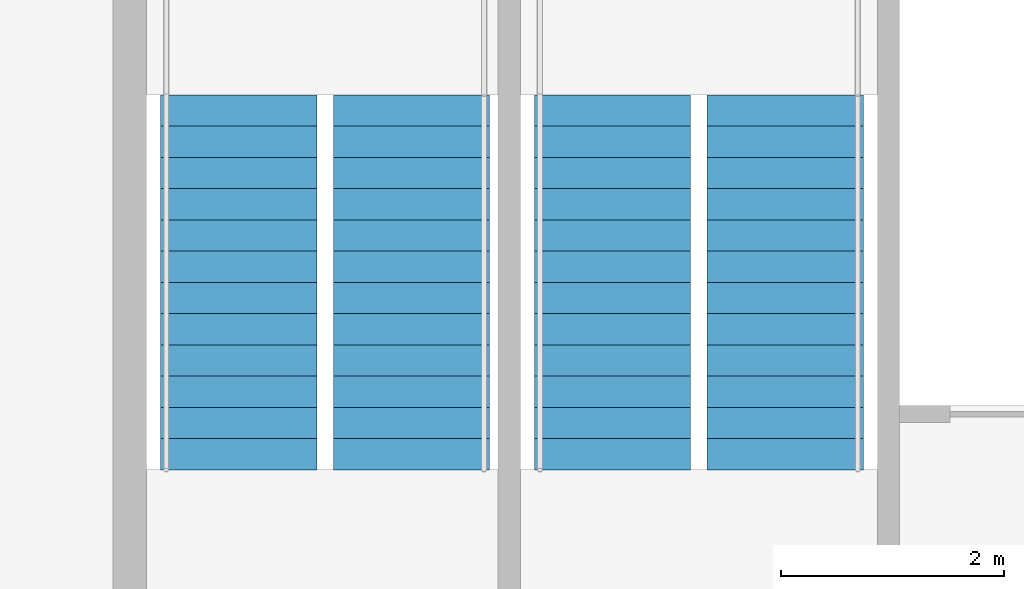
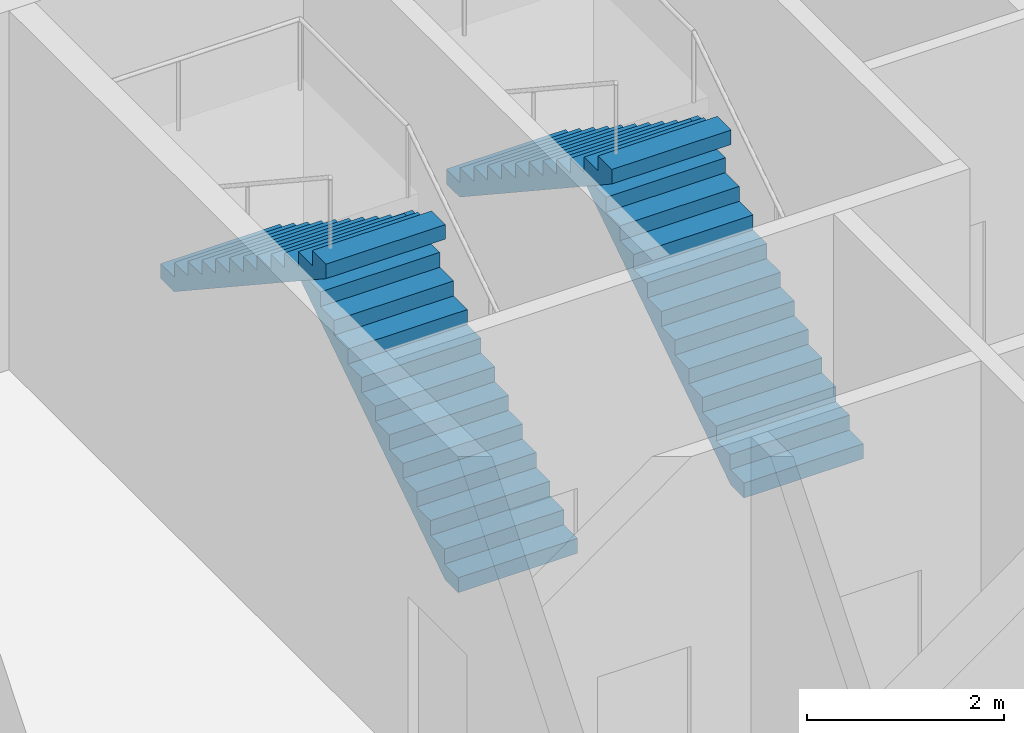
# One storey, part 9 of 10: 4 stair flights, 2 elements without a shape of their own.
"""IFC4 building model written with IfcOpenShell, lengths in metres."""

from ifc_helpers import new_model, si_unit, direction, frame, origin, place, context, subcontext, project, spatial, polyline, outline, extrude, material, type_object, element, aggregate, save


model = new_model("IFC4")

# Units and contexts
model_context = context("Model", 3, precision=1e-05, world=origin(), true_north=direction((0.0, 1.0)))
body_context = subcontext(model_context, "Body", "Model", "MODEL_VIEW")
ifc_project = project(units=[si_unit("LENGTHUNIT", "METRE"), si_unit("AREAUNIT", "SQUARE_METRE"), si_unit("VOLUMEUNIT", "CUBIC_METRE"), si_unit("PLANEANGLEUNIT", "RADIAN"), si_unit("MASSUNIT", "GRAM", prefix="KILO")], contexts=[model_context])

# Site, building, storey
site_placement = place(None, origin())
site = spatial("IfcSite", under=ifc_project, at=site_placement, CompositionType="ELEMENT")
building_placement = place(site_placement, origin())
building = spatial("IfcBuilding", under=site, at=building_placement, Name="Meshkara Civic Tower", CompositionType="ELEMENT")
storey_placement = place(building_placement, frame((0.0, 0.0, 424.199951171875)))
storey = spatial("IfcBuildingStorey", under=building, at=storey_placement, Name="L97 Crown", CompositionType="ELEMENT", Elevation=424.199951171875)

# Stair, stair flights
ifc_material_1 = material(Name="Precast concrete C40/50", Category="concrete")
stair_type = type_object("IfcStairType", Name="Exit stair half-turn 26 risers precast", PredefinedType="HALF_TURN_STAIR", material=ifc_material_1)
stair_1_placement = place(storey_placement, origin())
stair_1 = element("IfcStair", 1, at=stair_1_placement, inside=storey, type_object=stair_type, Name="L97 Crown exit stair 1", PredefinedType="HALF_TURN_STAIR")
ifc_material_2 = material(Name="Precast concrete C40/50", Category="concrete")
stair_flight_type = type_object("IfcStairFlightType", Name="Exit stair flight 13 risers precast", PredefinedType="STRAIGHT", material=ifc_material_2)
stair_flight_1_placement = place(storey_placement, frame((15.72509765625, 30.0, 0.0), z_axis=(0.0, 0.0, 1.0), x_axis=(0.0, 1.0, 0.0)))
stair_flight_1 = element("IfcStairFlight", 2, at=stair_flight_1_placement, type_object=stair_flight_type, Name="ST1 flight 1", NumberOfRisers=13, NumberOfTreads=12, PredefinedType="STRAIGHT", RiserHeight=0.184615385, TreadLength=0.28, context=body_context, shape_type="SweptSolid", body=[
    extrude(outline(polyline([(0.0, 0.0), (0.0, 0.1845703125), (0.280029296875, 0.1845703125), (0.280029296875, 0.369140625), (0.56005859375, 0.369140625), (0.56005859375, 0.553955078125), (0.840087890625, 0.553955078125), (0.840087890625, 0.738525390625), (1.1201171875, 0.738525390625), (1.1201171875, 0.923095703125), (1.39990234375, 0.923095703125), (1.39990234375, 1.107666015625), (1.679931640625, 1.107666015625), (1.679931640625, 1.292236328125), (1.9599609375, 1.292236328125), (1.9599609375, 1.476806640625), (2.239990234375, 1.476806640625), (2.239990234375, 1.66162109375), (2.52001953125, 1.66162109375), (2.52001953125, 1.84619140625), (2.800048828125, 1.84619140625), (2.800048828125, 2.03076171875), (3.080078125, 2.03076171875), (3.080078125, 2.21533203125), (3.360107421875, 2.21533203125), (3.360107421875, 2.39990234375), (3.360107421875, 2.035888671875), (0.272216796875, 0.0), (0.0, 0.0)])), frame((0.0, 0.699951171875, 0.0), z_axis=(0.0, -1.0, 0.0), x_axis=(1.0, 0.0, 0.0)), (0.0, 0.0, 1.0), 1.39990234375),
])
stair_flight_2_placement = place(storey_placement, frame((14.175048828125, 33.360107421875, 2.400146484375), z_axis=(0.0, 0.0, 1.0), x_axis=(0.0, -1.0, 0.0)))
stair_flight_2 = element("IfcStairFlight", 3, at=stair_flight_2_placement, type_object=stair_flight_type, Name="ST1 flight 2", NumberOfRisers=13, NumberOfTreads=12, PredefinedType="STRAIGHT", RiserHeight=0.184615385, TreadLength=0.28, context=body_context, shape_type="SweptSolid", body=[
    extrude(outline(polyline([(0.0, 0.0), (0.0, 0.1845703125), (0.280029296875, 0.1845703125), (0.280029296875, 0.369140625), (0.56005859375, 0.369140625), (0.56005859375, 0.553955078125), (0.840087890625, 0.553955078125), (0.840087890625, 0.738525390625), (1.1201171875, 0.738525390625), (1.1201171875, 0.923095703125), (1.39990234375, 0.923095703125), (1.39990234375, 1.107666015625), (1.679931640625, 1.107666015625), (1.679931640625, 1.292236328125), (1.9599609375, 1.292236328125), (1.9599609375, 1.476806640625), (2.239990234375, 1.476806640625), (2.239990234375, 1.66162109375), (2.52001953125, 1.66162109375), (2.52001953125, 1.84619140625), (2.800048828125, 1.84619140625), (2.800048828125, 2.03076171875), (3.080078125, 2.03076171875), (3.080078125, 2.21533203125), (3.360107421875, 2.21533203125), (3.360107421875, 2.39990234375), (3.360107421875, 2.035888671875), (0.272216796875, 0.0), (0.0, 0.0)])), frame((0.0, 0.699951171875, 0.0), z_axis=(0.0, -1.0, 0.0), x_axis=(1.0, 0.0, 0.0)), (0.0, 0.0, 1.0), 1.39990234375),
])
aggregate(stair_1, [stair_flight_1, stair_flight_2])

stair_2_placement = place(storey_placement, origin())
stair_2 = element("IfcStair", 4, at=stair_2_placement, inside=storey, type_object=stair_type, Name="L97 Crown exit stair 2", PredefinedType="HALF_TURN_STAIR")
stair_flight_3_placement = place(storey_placement, frame((19.074951171875, 30.0, 0.0), z_axis=(0.0, 0.0, 1.0), x_axis=(0.0, 1.0, 0.0)))
stair_flight_3 = element("IfcStairFlight", 5, at=stair_flight_3_placement, type_object=stair_flight_type, Name="ST2 flight 1", NumberOfRisers=13, NumberOfTreads=12, PredefinedType="STRAIGHT", RiserHeight=0.184615385, TreadLength=0.28, context=body_context, shape_type="SweptSolid", body=[
    extrude(outline(polyline([(0.0, 0.0), (0.0, 0.1845703125), (0.280029296875, 0.1845703125), (0.280029296875, 0.369140625), (0.56005859375, 0.369140625), (0.56005859375, 0.553955078125), (0.840087890625, 0.553955078125), (0.840087890625, 0.738525390625), (1.1201171875, 0.738525390625), (1.1201171875, 0.923095703125), (1.39990234375, 0.923095703125), (1.39990234375, 1.107666015625), (1.679931640625, 1.107666015625), (1.679931640625, 1.292236328125), (1.9599609375, 1.292236328125), (1.9599609375, 1.476806640625), (2.239990234375, 1.476806640625), (2.239990234375, 1.66162109375), (2.52001953125, 1.66162109375), (2.52001953125, 1.84619140625), (2.800048828125, 1.84619140625), (2.800048828125, 2.03076171875), (3.080078125, 2.03076171875), (3.080078125, 2.21533203125), (3.360107421875, 2.21533203125), (3.360107421875, 2.39990234375), (3.360107421875, 2.035888671875), (0.272216796875, 0.0), (0.0, 0.0)])), frame((0.0, 0.699951171875, 0.0), z_axis=(0.0, -1.0, 0.0), x_axis=(1.0, 0.0, 0.0)), (0.0, 0.0, 1.0), 1.39990234375),
])
stair_flight_4_placement = place(storey_placement, frame((17.52490234375, 33.360107421875, 2.400146484375), z_axis=(0.0, 0.0, 1.0), x_axis=(0.0, -1.0, 0.0)))
stair_flight_4 = element("IfcStairFlight", 6, at=stair_flight_4_placement, type_object=stair_flight_type, Name="ST2 flight 2", NumberOfRisers=13, NumberOfTreads=12, PredefinedType="STRAIGHT", RiserHeight=0.184615385, TreadLength=0.28, context=body_context, shape_type="SweptSolid", body=[
    extrude(outline(polyline([(0.0, 0.0), (0.0, 0.1845703125), (0.280029296875, 0.1845703125), (0.280029296875, 0.369140625), (0.56005859375, 0.369140625), (0.56005859375, 0.553955078125), (0.840087890625, 0.553955078125), (0.840087890625, 0.738525390625), (1.1201171875, 0.738525390625), (1.1201171875, 0.923095703125), (1.39990234375, 0.923095703125), (1.39990234375, 1.107666015625), (1.679931640625, 1.107666015625), (1.679931640625, 1.292236328125), (1.9599609375, 1.292236328125), (1.9599609375, 1.476806640625), (2.239990234375, 1.476806640625), (2.239990234375, 1.66162109375), (2.52001953125, 1.66162109375), (2.52001953125, 1.84619140625), (2.800048828125, 1.84619140625), (2.800048828125, 2.03076171875), (3.080078125, 2.03076171875), (3.080078125, 2.21533203125), (3.360107421875, 2.21533203125), (3.360107421875, 2.39990234375), (3.360107421875, 2.035888671875), (0.272216796875, 0.0), (0.0, 0.0)])), frame((0.0, 0.699951171875, 0.0), z_axis=(0.0, -1.0, 0.0), x_axis=(1.0, 0.0, 0.0)), (0.0, 0.0, 1.0), 1.39990234375),
])
aggregate(stair_2, [stair_flight_3, stair_flight_4])

save(model, "model.ifc")
